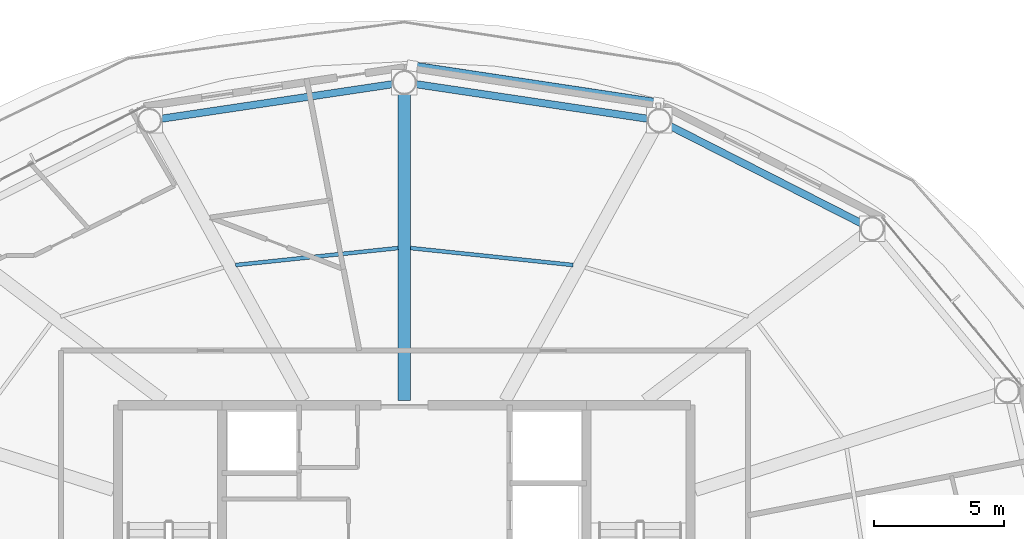
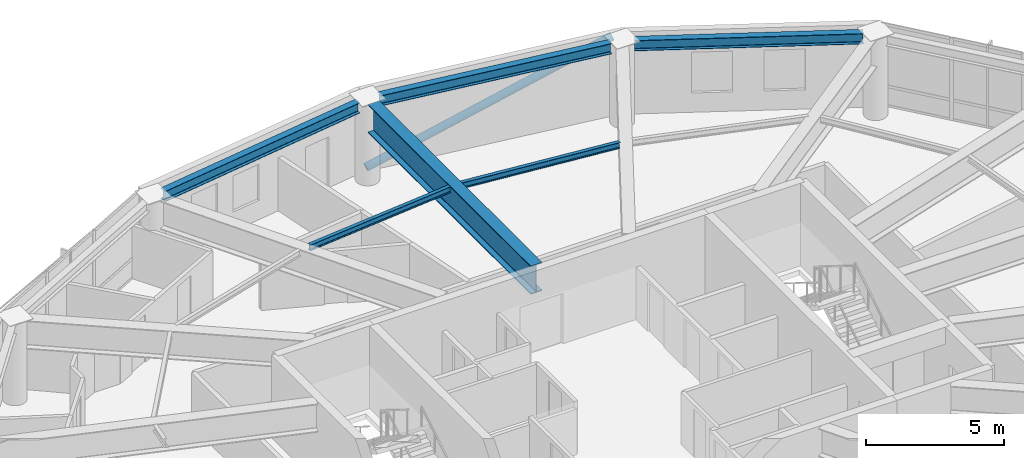
# One storey, part 13 of 24: 6 beams, 1 member.
"""IFC4 building model written with IfcOpenShell, lengths in metres."""

from ifc_helpers import new_model, si_unit, direction, frame, origin, origin_2d, place, context, subcontext, project, spatial, hollow_circle, i_section, extrude, material, material_profile, profile_set, type_object, element, save


model = new_model("IFC4")

# Units and contexts
model_context = context("Model", 3, precision=1e-05, world=origin(), true_north=direction((0.0, 1.0)))
body_context = subcontext(model_context, "Body", "Model", "MODEL_VIEW")
ifc_project = project(units=[si_unit("LENGTHUNIT", "METRE"), si_unit("AREAUNIT", "SQUARE_METRE"), si_unit("VOLUMEUNIT", "CUBIC_METRE"), si_unit("PLANEANGLEUNIT", "RADIAN"), si_unit("MASSUNIT", "GRAM", prefix="KILO")], contexts=[model_context])

# Site, building, storey
site_placement = place(None, origin())
site = spatial("IfcSite", under=ifc_project, at=site_placement, CompositionType="ELEMENT")
building_placement = place(site_placement, origin())
building = spatial("IfcBuilding", under=site, at=building_placement, Name="Sarneth Arch Tower", CompositionType="ELEMENT")
storey_placement = place(building_placement, frame((0.0, 0.0, 312.60009765625)))
storey = spatial("IfcBuildingStorey", under=building, at=storey_placement, Name="L81", CompositionType="ELEMENT", Elevation=312.60009765625)

# Beams
ifc_material_1 = material(Name="Steel S355", Category="steel")
ifc_material_profile_1 = material_profile(ifc_material_1, i_section(OverallWidth=0.14794921875, OverallDepth=0.26611328125, WebThickness=0.007568359375, FlangeThickness=0.012939453125, FilletRadius=0.012939453125, at=origin_2d()), Name="W250x44.8")
ifc_profile_set_1 = profile_set([ifc_material_profile_1], Name="Steel S355")
beam_type_1 = type_object("IfcBeamType", Name="BM-JOIST-250", PredefinedType="JOIST", material=ifc_profile_set_1)
for number, where, z_axis, x_axis, name in (
    (1, (54.482666015625, 54.1845703125, 3.5068359375), (-0.994574488873, 0.104026852697, 0.0), (-0.104026852697, -0.994574488873, 0.0), "L81 Secondary floor joist 04"),
    (2, (47.76123046875, 54.837646484375, 3.5068359375), (-0.994574488873, -0.104026852697, 0.0), (0.104026852697, -0.994574488873, 0.0), "L81 Secondary floor joist 05"),
):
    element("IfcBeam", number, at=place(storey_placement, frame(where, z_axis=z_axis, x_axis=x_axis)), inside=storey, type_object=beam_type_1, Name=name, PredefinedType="JOIST", context=body_context, shape_type="SweptSolid", body=[
        extrude(i_section(OverallWidth=0.14794921875, OverallDepth=0.26611328125, WebThickness=0.007568359375, FlangeThickness=0.012939453125, FilletRadius=0.012939453125, at=origin_2d()), origin(), (0.0, 0.0, 1.0), 6.278076171875),
    ])
ifc_material_2 = material(Name="Steel S355", Category="steel")
ifc_material_profile_2 = material_profile(ifc_material_2, i_section(OverallWidth=0.280029296875, OverallDepth=0.462890625, WebThickness=0.0107421875, FlangeThickness=0.017333984375, FilletRadius=0.01806640625, at=origin_2d()), Name="W460x113")
ifc_profile_set_2 = profile_set([ifc_material_profile_2], Name="Steel S355")
beam_type_2 = type_object("IfcBeamType", Name="BM-RAD-460A", PredefinedType="BEAM", material=ifc_profile_set_2)
beam_1_placement = place(storey_placement, frame((65.57421875, 55.780517578125, 3.408447265625), z_axis=(-0.891376248079, 0.453264144138, 0.0), x_axis=(-0.453264144138, -0.891376248079, 0.0)))
element("IfcBeam", 3, at=beam_1_placement, inside=storey, type_object=beam_type_2, Name="L81 Perimeter spandrel beam 03", PredefinedType="BEAM", context=body_context, shape_type="SweptSolid", body=[
    extrude(i_section(OverallWidth=0.280029296875, OverallDepth=0.462890625, WebThickness=0.0107421875, FlangeThickness=0.017333984375, FilletRadius=0.01806640625, at=origin_2d()), origin(), (0.0, 0.0, 1.0), 8.281982421875),
])
for number, where, z_axis, x_axis, name in (
    (4, (57.345703125, 59.804931640625, 3.408447265625), (-0.989041765772, 0.147635990052, 0.0), (-0.147635990052, -0.989041765772, 0.0), "L81 Perimeter spandrel beam 04"),
    (5, (47.554931640625, 61.133544921875, 3.408447265625), (-0.989041765772, -0.147635990052, 0.0), (0.147635990052, -0.989041765772, 0.0), "L81 Perimeter spandrel beam 05"),
):
    element("IfcBeam", number, at=place(storey_placement, frame(where, z_axis=z_axis, x_axis=x_axis)), inside=storey, type_object=beam_type_2, Name=name, PredefinedType="BEAM", context=body_context, shape_type="SweptSolid", body=[
        extrude(i_section(OverallWidth=0.280029296875, OverallDepth=0.462890625, WebThickness=0.0107421875, FlangeThickness=0.017333984375, FilletRadius=0.01806640625, at=origin_2d()), origin(), (0.0, 0.0, 1.0), 8.999267578125),
    ])
ifc_material_3 = material(Name="Steel S355", Category="steel")
ifc_material_profile_3 = material_profile(ifc_material_3, i_section(OverallWidth=0.47998046875, OverallDepth=1.25, WebThickness=0.02001953125, FlangeThickness=0.0380859375, FilletRadius=0.02197265625, at=origin_2d()), Name="CVS1250x520")
ifc_profile_set_3 = profile_set([ifc_material_profile_3], Name="Steel S355")
beam_type_3 = type_object("IfcBeamType", Name="BM-XFER-1250", PredefinedType="BEAM", material=ifc_profile_set_3)
beam_2_placement = place(storey_placement, frame((48.0, 48.97509765625, 3.014892578125), z_axis=(0.0, 1.0, 0.0), x_axis=(-1.0, 0.0, 0.0)))
element("IfcBeam", 6, at=beam_2_placement, inside=storey, type_object=beam_type_3, Name="L81 Step-taper transfer girder 05", PredefinedType="BEAM", context=body_context, shape_type="SweptSolid", body=[
    extrude(i_section(OverallWidth=0.47998046875, OverallDepth=1.25, WebThickness=0.02001953125, FlangeThickness=0.0380859375, FilletRadius=0.02197265625, at=origin_2d()), origin(), (0.0, 0.0, 1.0), 11.77490234375),
])

# Member
ifc_material_4 = material(Name="Steel S355", Category="steel")
ifc_material_profile_4 = material_profile(ifc_material_4, hollow_circle(Radius=0.162109375, WallThickness=0.012451171875, at=origin_2d()), Name="CHS324x12.5")
ifc_profile_set_4 = profile_set([ifc_material_profile_4], Name="Steel S355")
member_type = type_object("IfcMemberType", Name="MEM-DIAG-BR3", PredefinedType="BRACE", material=ifc_profile_set_4)
member_placement = place(storey_placement, frame((48.296630859375, 61.83544921875, 0.02001953125), z_axis=(0.933501273431, -0.140562572356, 0.329875030513), x_axis=(0.148897148305, 0.988852688335, 0.0)))
element("IfcMember", 7, at=member_placement, inside=storey, type_object=member_type, Name="L81 Perimeter frame diagonal 04", PredefinedType="BRACE", context=body_context, shape_type="SweptSolid", body=[
    extrude(hollow_circle(Radius=0.162109375, WallThickness=0.012451171875, at=origin_2d()), origin(), (0.0, 0.0, 1.0), 10.13134765625),
])

save(model, "model.ifc")
